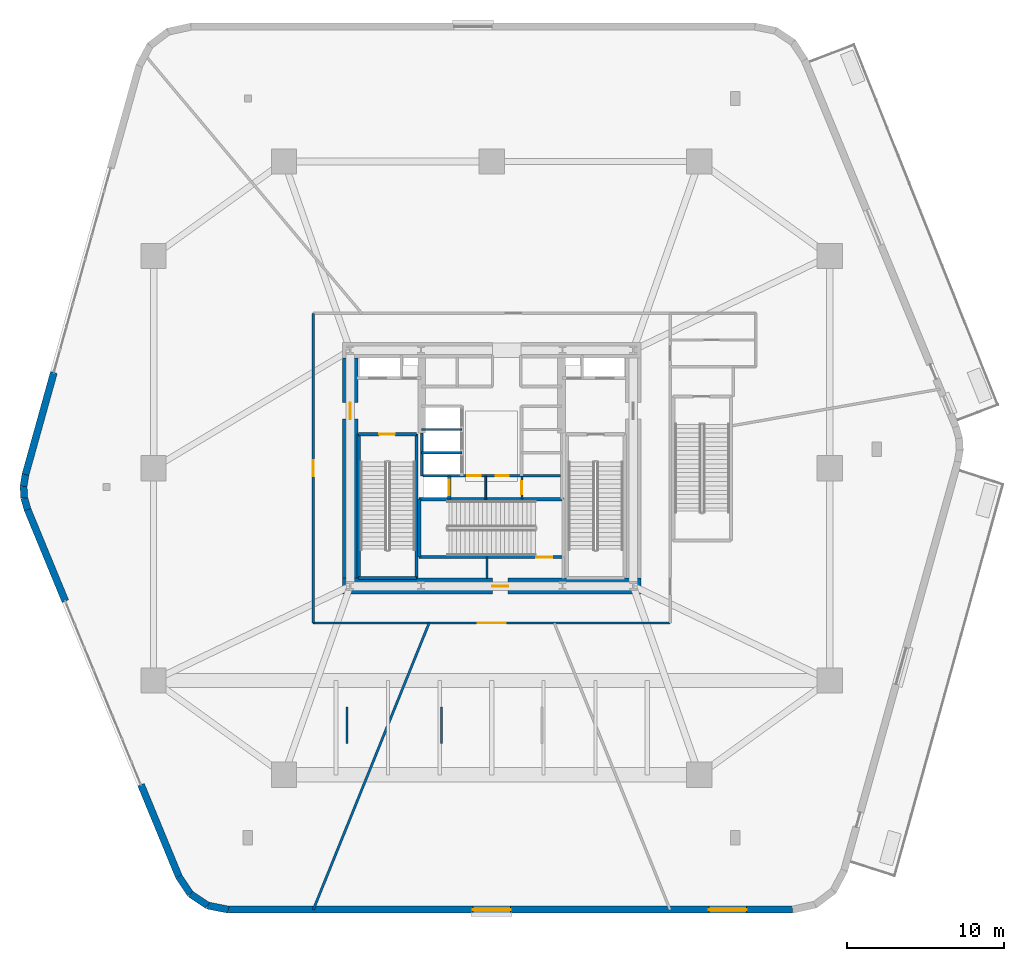
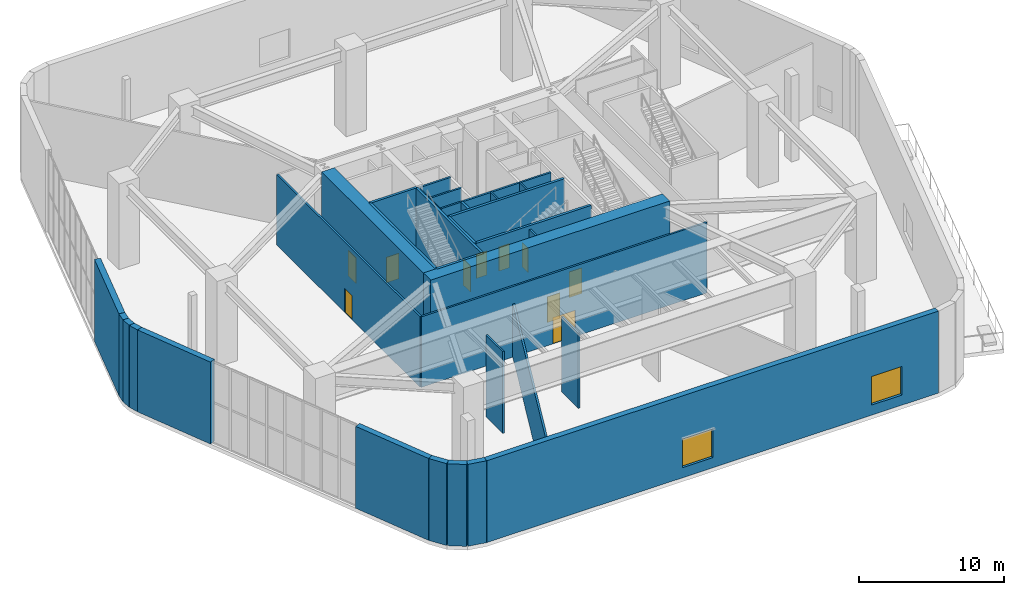
# One storey, part 10 of 17: 32 walls, 10 doors, 2 windows, 12 openings.
"""IFC4 building model written with IfcOpenShell, lengths in metres."""

import ifcopenshell
import ifcopenshell.guid

model = None  # the IFC model being written
_history = None  # IfcOwnerHistory: only IFC2X3 demands one
_inside = {}  # id of a spatial element -> (the spatial element, [elements in it])
_under = {}  # id of a project, library or spatial element -> (it, [spatial elements below it])
_declared = {}  # id of a project -> (the project, [libraries it declares])
_typed = {}  # id of a type object -> (the type object, [elements of that type])
_made_of = {}  # id of a material, layer set ... -> (it, [elements and type objects made of it])


def new_model(schema):
    """Start an empty IFC model of exactly this schema.

    Asked for "IFC4X3", IfcOpenShell would pick the latest addendum, in which some entities
    have other attributes; the version numbers below select the first issue.
    IFC2X3 requires an IfcOwnerHistory on every rooted entity: one is made here for all.
    """
    global model, _history
    if schema == "IFC4X3":
        model = ifcopenshell.file(schema_version=(4, 3, 0, 0))
    else:
        model = ifcopenshell.file(schema=schema)
    _inside.clear()
    _under.clear()
    _declared.clear()
    _typed.clear()
    _made_of.clear()
    _history = None
    if model.schema == "IFC2X3":
        org = make("IfcOrganization", Name="unknown")
        user = make(
            "IfcPersonAndOrganization",
            ThePerson=make("IfcPerson", FamilyName="unknown"),
            TheOrganization=org,
        )
        app = make(
            "IfcApplication",
            ApplicationDeveloper=org,
            Version="unknown",
            ApplicationFullName="unknown",
            ApplicationIdentifier="unknown",
        )
        _history = make(
            "IfcOwnerHistory",
            OwningUser=user,
            OwningApplication=app,
            ChangeAction="ADDED",
            CreationDate=0,
        )
    return model


def make(cls, **values):
    """One entity of the class cls with the attributes given. An attribute that is None is left unset."""
    return model.create_entity(
        cls, **{name: value for name, value in values.items() if value is not None}
    )


def rooted(cls, **values):
    """An entity with a GlobalId (a new one), such as an element, a storey or a relation."""
    return make(cls, GlobalId=ifcopenshell.guid.new(), OwnerHistory=_history, **values)


def si_unit(unit_type, name, prefix=None):
    """IfcSIUnit, for example si_unit("LENGTHUNIT", "METRE", prefix="MILLI")."""
    return make("IfcSIUnit", UnitType=unit_type, Prefix=prefix, Name=name)


def assignment(units):
    """IfcUnitAssignment: the units of a project."""
    return None if units is None else make("IfcUnitAssignment", Units=units)


def point(xyz):
    """IfcCartesianPoint."""
    return None if xyz is None else make("IfcCartesianPoint", Coordinates=xyz)


def direction(xyz):
    """IfcDirection."""
    return None if xyz is None else make("IfcDirection", DirectionRatios=xyz)


def frame(location, z_axis=None, x_axis=None):
    """IfcAxis2Placement3D, a coordinate frame: its origin and axes. An axis left out is left unset."""
    return make(
        "IfcAxis2Placement3D",
        Location=point(location),
        Axis=direction(z_axis),
        RefDirection=direction(x_axis),
    )


def frame_2d(location, x_axis=None):
    """IfcAxis2Placement2D, a coordinate frame in the plane: its origin and x axis."""
    return make(
        "IfcAxis2Placement2D", Location=point(location), RefDirection=direction(x_axis)
    )


def origin():
    """The frame at (0, 0, 0) with its axes left unset."""
    return frame((0.0, 0.0, 0.0))


def place(relative_to, where):
    """IfcLocalPlacement: puts the frame where relative to a parent placement (None: the world)."""
    return make(
        "IfcLocalPlacement", PlacementRelTo=relative_to, RelativePlacement=where
    )


def context(
    kind, dimensions, precision=None, world=None, true_north=None, identifier=None
):
    """IfcGeometricRepresentationContext, for example the 3D "Model" context."""
    return make(
        "IfcGeometricRepresentationContext",
        ContextIdentifier=identifier,
        ContextType=kind,
        CoordinateSpaceDimension=dimensions,
        Precision=precision,
        WorldCoordinateSystem=world,
        TrueNorth=true_north,
    )


def subcontext(parent, identifier, kind, view, scale=None):
    """IfcGeometricRepresentationSubContext, for example "Body" below "Model"."""
    return make(
        "IfcGeometricRepresentationSubContext",
        ContextIdentifier=identifier,
        ContextType=kind,
        ParentContext=parent,
        TargetScale=scale,
        TargetView=view,
    )


def project(units=None, contexts=None):
    """IfcProject with its units and contexts."""
    return rooted(
        "IfcProject",
        Name="project",
        RepresentationContexts=contexts,
        UnitsInContext=assignment(units),
    )


def spatial(cls, under=None, at=None, **own):
    """A site, building, storey or space (cls), placed at a placement, below another one or the project."""
    s = rooted(cls, ObjectPlacement=at, **own)
    if under is not None:
        _under.setdefault(under.id(), (under, []))[1].append(s)
    return s


def profile(cls, at=None, kind="AREA", **sizes):
    """A parametric profile (cls). Its sizes go by their IFC names, for example OverallWidth=200.0."""
    return make(cls, ProfileType=kind, Position=at, **sizes)


def rectangle(**sizes):
    """IfcRectangleProfileDef."""
    return profile("IfcRectangleProfileDef", **sizes)


def extrude(swept, where, along, depth):
    """IfcExtrudedAreaSolid: the profile swept, set in the frame where, extruded along a direction by depth."""
    return make(
        "IfcExtrudedAreaSolid",
        SweptArea=swept,
        Position=where,
        ExtrudedDirection=direction(along),
        Depth=depth,
    )


def shape(context_of_items, identifier, shape_type, items):
    """IfcShapeRepresentation: the items that make up one representation, for example the "Body"."""
    return make(
        "IfcShapeRepresentation",
        ContextOfItems=context_of_items,
        RepresentationIdentifier=identifier,
        RepresentationType=shape_type,
        Items=items,
    )


def material(Name=None, Category=None):
    """IfcMaterial."""
    return make("IfcMaterial", Name=Name, Category=Category)


def layer(
    of_material, thickness, ventilated=None, Name=None, Category=None, Priority=None
):
    """IfcMaterialLayer: one layer of a wall or slab, of a material (None: an air gap)."""
    return make(
        "IfcMaterialLayer",
        Material=of_material,
        LayerThickness=thickness,
        IsVentilated=ventilated,
        Name=Name,
        Category=Category,
        Priority=Priority,
    )


def layer_set(layers, Name=None):
    """IfcMaterialLayerSet."""
    return make("IfcMaterialLayerSet", MaterialLayers=layers, LayerSetName=Name)


def made_of(thing, what):
    """Note that an element or type object is made of a material, layer set ...; save() writes the relation."""
    if what is not None:
        _made_of.setdefault(what.id(), (what, []))[1].append(thing)
    return thing


def type_object(cls, material=None, **own):
    """A type object (cls), such as IfcWallType, which elements share."""
    return made_of(rooted(cls, **own), material)


def element(
    cls,
    number,
    at=None,
    inside=None,
    cuts=None,
    type_object=None,
    material=None,
    context=None,
    identifier="Body",
    shape_type=None,
    held_by="IfcProductDefinitionShape",
    body=None,
    shapes=None,
    **own,
):
    """One element of the class cls, such as IfcWall. Its Tag is "e" and its number.

    at: its placement. inside: the storey or other place that contains it. cuts: it is an
    opening in that element (IfcRelVoidsElement). A single representation is given by context,
    identifier, shape_type and body (its items); several are given by shapes. held_by: the class
    of the entity that holds the representations. save() writes the other relations.
    """
    e = rooted(cls, Tag="e%d" % number, ObjectPlacement=at, **own)
    if body is not None:
        shapes = [shape(context, identifier, shape_type, body)]
    if shapes is not None:
        e.Representation = make(held_by, Representations=shapes)
    if inside is not None:
        _inside.setdefault(inside.id(), (inside, []))[1].append(e)
    if cuts is not None:
        rooted(
            "IfcRelVoidsElement", RelatingBuildingElement=cuts, RelatedOpeningElement=e
        )
    if type_object is not None:
        _typed.setdefault(type_object.id(), (type_object, []))[1].append(e)
    return made_of(e, material)


def fill(opening, filler):
    """IfcRelFillsElement: the door or window that sits in an opening."""
    return rooted(
        "IfcRelFillsElement",
        RelatingOpeningElement=opening,
        RelatedBuildingElement=filler,
    )


def aggregate(whole, parts):
    """IfcRelAggregates: a whole, such as a stair, and the parts it consists of."""
    return rooted("IfcRelAggregates", RelatingObject=whole, RelatedObjects=parts)


def save(model, path):
    """Write the relations noted so far, then the file.

    IfcRelAggregates (storeys below a building ...), IfcRelContainedInSpatialStructure (elements
    in a storey), IfcRelDefinesByType, IfcRelAssociatesMaterial and IfcRelDeclares: one each for
    every whole, place, type object, material and project.
    """
    for whole, parts in _under.values():
        aggregate(whole, parts)
    for where, things in _inside.values():
        rooted(
            "IfcRelContainedInSpatialStructure",
            RelatedElements=things,
            RelatingStructure=where,
        )
    for kind, things in _typed.values():
        rooted("IfcRelDefinesByType", RelatedObjects=things, RelatingType=kind)
    for what, things in _made_of.values():
        rooted("IfcRelAssociatesMaterial", RelatedObjects=things, RelatingMaterial=what)
    for by, libraries in _declared.values():
        rooted("IfcRelDeclares", RelatingContext=by, RelatedDefinitions=libraries)
    model.write(path)


model = new_model("IFC4")

# Units and contexts
model_context = context("Model", 3, precision=1e-05, world=origin(), true_north=direction((0.0, 1.0)))
body_context = subcontext(model_context, "Body", "Model", "MODEL_VIEW")
ifc_project = project(units=[si_unit("LENGTHUNIT", "METRE"), si_unit("AREAUNIT", "SQUARE_METRE"), si_unit("VOLUMEUNIT", "CUBIC_METRE"), si_unit("PLANEANGLEUNIT", "RADIAN"), si_unit("MASSUNIT", "GRAM", prefix="KILO")], contexts=[model_context])

# Site, building, storey
site_placement = place(None, origin())
site = spatial("IfcSite", under=ifc_project, at=site_placement, CompositionType="ELEMENT")
building_placement = place(site_placement, origin())
building = spatial("IfcBuilding", under=site, at=building_placement, Name="Kilnhurst Terrace Hotel", CompositionType="ELEMENT")
storey_placement = place(building_placement, frame((0.0, 0.0, 11.39990234375)))
storey = spatial("IfcBuildingStorey", under=building, at=storey_placement, Name="L02", CompositionType="ELEMENT", Elevation=11.39990234375)

# Walls
ifc_material_1 = material(Name="Precast concrete C40/50", Category="concrete")
ifc_layer_1 = layer(ifc_material_1, 0.449951171875, Name="Precast concrete C40/50")
ifc_layer_set_1 = layer_set([ifc_layer_1], Name="Precast concrete C40/50")
wall_type_1 = type_object("IfcWallType", Name="WL-BRK-450", PredefinedType="SOLIDWALL", material=ifc_layer_set_1)
wall_1_placement = place(storey_placement, frame((-19.895751953125, -25.965576171875, 0.0), z_axis=(0.0, 0.0, 1.0), x_axis=(0.554237463162, -0.832358597257, 0.0)))
element("IfcWall", 1, at=wall_1_placement, inside=storey, type_object=wall_type_1, Name="L02 Rounded Corner Brick Wall C1.1", PredefinedType="SOLIDWALL", context=body_context, shape_type="SweptSolid", body=[
    extrude(rectangle(XDim=1.339599609375, YDim=0.449951171875, at=frame_2d((0.669921875, 0.0))), origin(), (0.0, 0.0, 1.0), 6.880126953125),
])
wall_2_placement = place(storey_placement, frame((-19.1533203125, -27.08056640625, 0.0), z_axis=(0.0, 0.0, 1.0), x_axis=(0.831050979436, -0.556196250956, 0.0)))
element("IfcWall", 2, at=wall_2_placement, inside=storey, type_object=wall_type_1, Name="L02 Rounded Corner Brick Wall C1.2", PredefinedType="SOLIDWALL", context=body_context, shape_type="SweptSolid", body=[
    extrude(rectangle(XDim=1.3173828125, YDim=0.449951171875, at=frame_2d((0.65869140625, 0.0))), origin(), (0.0, 0.0, 1.0), 6.880126953125),
])
wall_3_placement = place(storey_placement, frame((-18.05859375, -27.813232421875, 0.0), z_axis=(0.0, 0.0, 1.0), x_axis=(0.98072760743, -0.195380039986, 0.0)))
element("IfcWall", 3, at=wall_3_placement, inside=storey, type_object=wall_type_1, Name="L02 Rounded Corner Brick Wall C1.3", PredefinedType="SOLIDWALL", context=body_context, shape_type="SweptSolid", body=[
    extrude(rectangle(XDim=1.339599609375, YDim=0.449951171875, at=frame_2d((0.669921875, 0.0))), origin(), (0.0, 0.0, 1.0), 6.880126953125),
])
wall_4_placement = place(storey_placement, frame((-29.648193359375, -0.412353515625, 0.0), z_axis=(0.0, 0.0, 1.0), x_axis=(-0.160207253195, -0.987083398718, 0.0)))
element("IfcWall", 4, at=wall_4_placement, inside=storey, type_object=wall_type_1, Name="L02 Rounded Corner Brick Wall C6.1", PredefinedType="SOLIDWALL", context=body_context, shape_type="SweptSolid", body=[
    extrude(rectangle(XDim=0.755859375, YDim=0.449951171875, at=frame_2d((0.3779296875, 0.0))), origin(), (0.0, 0.0, 1.0), 6.880126953125),
])
wall_5_placement = place(storey_placement, frame((-29.769287109375, -1.158447265625, 0.0), z_axis=(0.0, 0.0, 1.0), x_axis=(0.059781012143, -0.998211515956, 0.0)))
element("IfcWall", 5, at=wall_5_placement, inside=storey, type_object=wall_type_1, Name="L02 Rounded Corner Brick Wall C6.2", PredefinedType="SOLIDWALL", context=body_context, shape_type="SweptSolid", body=[
    extrude(rectangle(XDim=0.7431640625, YDim=0.449951171875, at=frame_2d((0.37158203125, 0.0))), origin(), (0.0, 0.0, 1.0), 6.880126953125),
])
wall_6_placement = place(storey_placement, frame((-29.724853515625, -1.900390625, 0.0), z_axis=(0.0, 0.0, 1.0), x_axis=(0.276810835942, -0.960924430486, 0.0)))
element("IfcWall", 6, at=wall_6_placement, inside=storey, type_object=wall_type_1, Name="L02 Rounded Corner Brick Wall C6.3", PredefinedType="SOLIDWALL", context=body_context, shape_type="SweptSolid", body=[
    extrude(rectangle(XDim=0.755859375, YDim=0.449951171875, at=frame_2d((0.3779296875, 0.0))), origin(), (0.0, 0.0, 1.0), 6.880126953125),
])

# Wall, openings, windows
wall_7_placement = place(storey_placement, frame((-16.744873046875, -28.074951171875, 0.0), z_axis=(0.0, 0.0, 1.0), x_axis=(1.0, 0.0, 0.0)))
wall_7 = element("IfcWall", 7, at=wall_7_placement, inside=storey, type_object=wall_type_1, Name="L02 Exterior Brick Facade Wall F1", PredefinedType="SOLIDWALL", context=body_context, shape_type="SweptSolid", body=[
    extrude(rectangle(XDim=35.880126953125, YDim=0.449951171875, at=frame_2d((17.93994140625, 0.0))), origin(), (0.0, 0.0, 1.0), 6.880126953125),
])
opening_1_placement = place(wall_7_placement, frame((15.544921875, 0.0, 0.85009765625)))
opening_1 = element("IfcOpeningElement", 8, at=opening_1_placement, cuts=wall_7, Name="Opening W-07", PredefinedType="OPENING", context=body_context, shape_type="SweptSolid", body=[
    extrude(rectangle(XDim=2.39990234375, YDim=2.39990234375, at=frame_2d((1.199951171875, 1.199951171875))), frame((0.0, 0.23486328125, 0.0), z_axis=(0.0, -1.0, 0.0), x_axis=(1.0, 0.0, 0.0)), (0.0, 0.0, 1.0), 0.469970703125),
])
opening_2_placement = place(wall_7_placement, frame((30.556884765625, 0.0, 0.85009765625)))
opening_2 = element("IfcOpeningElement", 9, at=opening_2_placement, cuts=wall_7, Name="Opening W-07", PredefinedType="OPENING", context=body_context, shape_type="SweptSolid", body=[
    extrude(rectangle(XDim=2.39990234375, YDim=2.39990234375, at=frame_2d((1.199951171875, 1.199951171875))), frame((0.0, 0.23486328125, 0.0), z_axis=(0.0, -1.0, 0.0), x_axis=(1.0, 0.0, 0.0)), (0.0, 0.0, 1.0), 0.469970703125),
])
ifc_material_2 = material(Name="Thermally Broken Bronze Aluminium Alloy 6063-T6 and Low-E Glass", Category="aluminium")
window_type = type_object("IfcWindowType", Name="WIN-2400X2400", PartitioningType="SINGLE_PANEL", PredefinedType="WINDOW", material=ifc_material_2)
window_1_placement = place(opening_1_placement, origin())
window_1 = element("IfcWindow", 10, at=window_1_placement, inside=storey, type_object=window_type, Name="L02 Deep-Set Masonry Window F1.1", OverallHeight=2.39990234375, OverallWidth=2.39990234375, PartitioningType="SINGLE_PANEL", PredefinedType="WINDOW", context=body_context, shape_type="SweptSolid", body=[
    extrude(rectangle(XDim=2.39990234375, YDim=2.39990234375, at=frame_2d((1.199951171875, 1.199951171875))), frame((0.0, 0.030029296875, 0.0), z_axis=(0.0, -1.0, 0.0), x_axis=(1.0, 0.0, 0.0)), (0.0, 0.0, 1.0), 0.06005859375),
])
fill(opening_1, window_1)
window_2_placement = place(opening_2_placement, origin())
window_2 = element("IfcWindow", 11, at=window_2_placement, inside=storey, type_object=window_type, Name="L02 Deep-Set Masonry Window F1.2", OverallHeight=2.39990234375, OverallWidth=2.39990234375, PartitioningType="SINGLE_PANEL", PredefinedType="WINDOW", context=body_context, shape_type="SweptSolid", body=[
    extrude(rectangle(XDim=2.39990234375, YDim=2.39990234375, at=frame_2d((1.199951171875, 1.199951171875))), frame((0.0, 0.030029296875, 0.0), z_axis=(0.0, -1.0, 0.0), x_axis=(1.0, 0.0, 0.0)), (0.0, 0.0, 1.0), 0.06005859375),
])
fill(opening_2, window_2)

# Walls
wall_8_placement = place(storey_placement, frame((-27.840576171875, 6.086181640625, 0.0), z_axis=(0.0, 0.0, 1.0), x_axis=(-0.267983597776, -0.963423474555, 0.0)))
element("IfcWall", 12, at=wall_8_placement, inside=storey, type_object=wall_type_1, Name="L02 Face 5 End Brick Pier", PredefinedType="SOLIDWALL", context=body_context, shape_type="SweptSolid", body=[
    extrude(rectangle(XDim=6.745361328125, YDim=0.449951171875, at=frame_2d((3.37255859375, 0.0))), origin(), (0.0, 0.0, 1.0), 6.880126953125),
])
wall_9_placement = place(storey_placement, frame((-29.515625, -2.626708984375, 0.0), z_axis=(0.0, 0.0, 1.0), x_axis=(0.381088332841, -0.924538632277, 0.0)))
element("IfcWall", 13, at=wall_9_placement, inside=storey, type_object=wall_type_1, Name="L02 Face 6 Brick Pier 1", PredefinedType="SOLIDWALL", context=body_context, shape_type="SweptSolid", body=[
    extrude(rectangle(XDim=6.31103515625, YDim=0.449951171875, at=frame_2d((3.155517578125, 0.0))), origin(), (0.0, 0.0, 1.0), 6.880126953125),
])
wall_10_placement = place(storey_placement, frame((-22.30078125, -20.131103515625, 0.0), z_axis=(0.0, 0.0, 1.0), x_axis=(0.381101963293, -0.924533013783, 0.0)))
element("IfcWall", 14, at=wall_10_placement, inside=storey, type_object=wall_type_1, Name="L02 Face 6 End Brick Pier", PredefinedType="SOLIDWALL", context=body_context, shape_type="SweptSolid", body=[
    extrude(rectangle(XDim=6.310791015625, YDim=0.449951171875, at=frame_2d((3.1552734375, 0.0))), origin(), (0.0, 0.0, 1.0), 6.880126953125),
])

# Wall, opening, door
ifc_material_3 = material(Name="Acoustic Double-Gypsum Corridor Partition Assembly")
ifc_layer_2 = layer(ifc_material_3, 0.14990234375, Name="Acoustic Double-Gypsum Corridor Partition Assembly")
ifc_layer_set_2 = layer_set([ifc_layer_2], Name="Acoustic Double-Gypsum Corridor Partition Assembly")
wall_type_2 = type_object("IfcWallType", Name="WL-COR-150", PredefinedType="PARTITIONING", material=ifc_layer_set_2)
wall_11_placement = place(storey_placement, frame((-11.35009765625, -9.85009765625, 0.0), z_axis=(0.0, 0.0, 1.0), x_axis=(0.0, 1.0, 0.0)))
wall_11 = element("IfcWall", 15, at=wall_11_placement, inside=storey, type_object=wall_type_2, Name="L02 Interior Wall WL-L02-COR-01", PredefinedType="PARTITIONING", context=body_context, shape_type="SweptSolid", body=[
    extrude(rectangle(XDim=19.7001953125, YDim=0.14990234375, at=frame_2d((9.85009765625, 0.0))), origin(), (0.0, 0.0, 1.0), 5.922119140625),
])
opening_3_placement = place(wall_11_placement, frame((9.35009765625, 0.0, 0.0)))
opening_3 = element("IfcOpeningElement", 16, at=opening_3_placement, cuts=wall_11, Name="Opening D-10A", PredefinedType="OPENING", context=body_context, shape_type="SweptSolid", body=[
    extrude(rectangle(XDim=1.0, YDim=2.030029296875, at=frame_2d((0.5, 1.01513671875))), frame((0.0, 0.0849609375, 0.0), z_axis=(0.0, -1.0, 0.0), x_axis=(1.0, 0.0, 0.0)), (0.0, 0.0, 1.0), 0.169921875),
])
ifc_material_4 = material(Name="Solid-Core American White Oak Interior Door")
door_type_1 = type_object("IfcDoorType", Name="DR-INT-1000", OperationType="NOTDEFINED", PredefinedType="DOOR", material=ifc_material_4)
door_1_placement = place(opening_3_placement, origin())
door_1 = element("IfcDoor", 17, at=door_1_placement, inside=storey, type_object=door_type_1, Name="L02 Catering Equipment and Linen Storage Room Door", OperationType="SINGLE_SWING_RIGHT", OverallHeight=2.030029296875, OverallWidth=1.0, PredefinedType="DOOR", context=body_context, shape_type="SweptSolid", body=[
    extrude(rectangle(XDim=1.0, YDim=2.030029296875, at=frame_2d((0.5, 1.01513671875))), frame((0.0, 0.02490234375, 0.0), z_axis=(0.0, -1.0, 0.0), x_axis=(1.0, 0.0, 0.0)), (0.0, 0.0, 1.0), 0.050048828125),
])
fill(opening_3, door_1)

wall_12_placement = place(storey_placement, frame((11.35009765625, -9.85009765625, 0.0), z_axis=(0.0, 0.0, 1.0), x_axis=(-1.0, 0.0, 0.0)))
wall_12 = element("IfcWall", 18, at=wall_12_placement, inside=storey, type_object=wall_type_2, Name="L02 Interior Wall WL-L02-COR-04", PredefinedType="PARTITIONING", context=body_context, shape_type="SweptSolid", body=[
    extrude(rectangle(XDim=22.7001953125, YDim=0.14990234375, at=frame_2d((11.35009765625, 0.0))), origin(), (0.0, 0.0, 1.0), 5.922119140625),
])
opening_4_placement = place(wall_12_placement, frame((10.449951171875, 0.0, 0.0)))
opening_4 = element("IfcOpeningElement", 19, at=opening_4_placement, cuts=wall_12, Name="Opening D-18A", PredefinedType="OPENING", context=body_context, shape_type="SweptSolid", body=[
    extrude(rectangle(XDim=1.800048828125, YDim=2.199951171875, at=frame_2d((0.89990234375, 1.10009765625))), frame((0.0, 0.0849609375, 0.0), z_axis=(0.0, -1.0, 0.0), x_axis=(1.0, 0.0, 0.0)), (0.0, 0.0, 1.0), 0.169921875),
])
ifc_material_5 = material(Name="Bronze-Framed Acoustic Glazed Double Hospitality Door")
door_type_2 = type_object("IfcDoorType", Name="DR-INT-1800", OperationType="NOTDEFINED", PredefinedType="DOOR", material=ifc_material_5)
door_2_placement = place(opening_4_placement, origin())
door_2 = element("IfcDoor", 20, at=door_2_placement, inside=storey, type_object=door_type_2, Name="L02 Column Free Grand Ballroom Door", OperationType="DOUBLE_SWING_LEFT", OverallHeight=2.199951171875, OverallWidth=1.800048828125, PredefinedType="DOOR", context=body_context, shape_type="SweptSolid", body=[
    extrude(rectangle(XDim=1.800048828125, YDim=2.199951171875, at=frame_2d((0.89990234375, 1.10009765625))), frame((0.0, 0.02490234375, 0.0), z_axis=(0.0, -1.0, 0.0), x_axis=(1.0, 0.0, 0.0)), (0.0, 0.0, 1.0), 0.050048828125),
])
fill(opening_4, door_2)

ifc_material_6 = material(Name="Concrete C80/95", Category="concrete")
ifc_layer_3 = layer(ifc_material_6, 1.0, Name="Concrete C80/95")
ifc_layer_set_3 = layer_set([ifc_layer_3], Name="Concrete C80/95")
wall_type_3 = type_object("IfcWallType", Name="WL-CORE-1000", PredefinedType="SHEAR", material=ifc_layer_set_3)
wall_13_placement = place(storey_placement, frame((-9.5, -7.5, 0.0), z_axis=(0.0, 0.0, 1.0), x_axis=(1.0, 0.0, 0.0)))
wall_13 = element("IfcWall", 21, at=wall_13_placement, inside=storey, type_object=wall_type_3, Name="L02 Core South Shear Wall", PredefinedType="SHEAR", context=body_context, shape_type="SweptSolid", body=[
    extrude(rectangle(XDim=19.0, YDim=1.0, at=frame_2d((9.5, 0.0))), origin(), (0.0, 0.0, 1.0), 7.2001953125),
])
opening_5_placement = place(wall_13_placement, frame((9.550048828125, 0.0, 0.0)))
opening_5 = element("IfcOpeningElement", 22, at=opening_5_placement, cuts=wall_13, Name="Opening D-90B", PredefinedType="OPENING", context=body_context, shape_type="SweptSolid", body=[
    extrude(rectangle(XDim=1.0, YDim=2.14990234375, at=frame_2d((0.5, 1.074951171875))), frame((0.0, 0.510009765625, 0.0), z_axis=(0.0, -1.0, 0.0), x_axis=(1.0, 0.0, 0.0)), (0.0, 0.0, 1.0), 1.02001953125),
])
ifc_material_7 = material(Name="Painted Hollow Metal Steel ASTM A36 Fire Door", Category="steel")
door_type_3 = type_object("IfcDoorType", Name="DR-FD90-1000", OperationType="NOTDEFINED", PredefinedType="DOOR", material=ifc_material_7)
door_3_placement = place(opening_5_placement, origin())
door_3 = element("IfcDoor", 23, at=door_3_placement, inside=storey, type_object=door_type_3, Name="L02 Stair ST-3 Corridor Door", OperationType="SINGLE_SWING_RIGHT", OverallHeight=2.14990234375, OverallWidth=1.0, PredefinedType="DOOR", context=body_context, shape_type="SweptSolid", body=[
    extrude(rectangle(XDim=1.0, YDim=2.14990234375, at=frame_2d((0.5, 1.074951171875))), frame((0.0, 0.02490234375, 0.0), z_axis=(0.0, -1.0, 0.0), x_axis=(1.0, 0.0, 0.0)), (0.0, 0.0, 1.0), 0.050048828125),
])
fill(opening_5, door_3)

wall_14_placement = place(storey_placement, frame((-9.0, -7.0, 0.0), z_axis=(0.0, 0.0, 1.0), x_axis=(0.0, 1.0, 0.0)))
wall_14 = element("IfcWall", 24, at=wall_14_placement, inside=storey, type_object=wall_type_3, Name="L02 Core West Shear Wall", PredefinedType="SHEAR", context=body_context, shape_type="SweptSolid", body=[
    extrude(rectangle(XDim=14.0, YDim=1.0, at=frame_2d((7.0, 0.0))), origin(), (0.0, 0.0, 1.0), 7.2001953125),
])
opening_6_placement = place(wall_14_placement, frame((10.125, 0.0, 0.0)))
opening_6 = element("IfcOpeningElement", 25, at=opening_6_placement, cuts=wall_14, Name="Opening D-90A", PredefinedType="OPENING", context=body_context, shape_type="SweptSolid", body=[
    extrude(rectangle(XDim=1.050048828125, YDim=2.14990234375, at=frame_2d((0.52490234375, 1.074951171875))), frame((0.0, 0.510009765625, 0.0), z_axis=(0.0, -1.0, 0.0), x_axis=(1.0, 0.0, 0.0)), (0.0, 0.0, 1.0), 1.02001953125),
])
door_type_4 = type_object("IfcDoorType", Name="DR-FD90-1050", OperationType="NOTDEFINED", PredefinedType="DOOR", material=ifc_material_7)
door_4_placement = place(opening_6_placement, origin())
door_4 = element("IfcDoor", 26, at=door_4_placement, inside=storey, type_object=door_type_4, Name="L02 West Firefighting Lobby Door", OperationType="SINGLE_SWING_RIGHT", OverallHeight=2.14990234375, OverallWidth=1.050048828125, PredefinedType="DOOR", context=body_context, shape_type="SweptSolid", body=[
    extrude(rectangle(XDim=1.050048828125, YDim=2.14990234375, at=frame_2d((0.52490234375, 1.074951171875))), frame((0.0, 0.02490234375, 0.0), z_axis=(0.0, -1.0, 0.0), x_axis=(1.0, 0.0, 0.0)), (0.0, 0.0, 1.0), 0.050048828125),
])
fill(opening_6, door_4)

# Walls
ifc_material_8 = material(Name="STC-54 Top-Hung Acoustic Operable Ballroom Folding Wall")
ifc_layer_4 = layer(ifc_material_8, 0.139892578125, Name="STC-54 Top-Hung Acoustic Operable Ballroom Folding Wall")
ifc_layer_set_4 = layer_set([ifc_layer_4], Name="STC-54 Top-Hung Acoustic Operable Ballroom Folding Wall")
wall_type_4 = type_object("IfcWallType", Name="WL-MOV-140", PredefinedType="MOVABLE", material=ifc_layer_set_4)
wall_15_placement = place(storey_placement, frame((-9.199951171875, -17.5, 0.0), z_axis=(0.0, 0.0, 1.0), x_axis=(0.0, 1.0, 0.0)))
element("IfcWall", 27, at=wall_15_placement, inside=storey, type_object=wall_type_4, Name="L02 Operable Acoustic Ballroom Partition 1", PredefinedType="MOVABLE", context=body_context, shape_type="SweptSolid", body=[
    extrude(rectangle(XDim=2.300048828125, YDim=0.139892578125, at=frame_2d((1.14990234375, 0.0))), origin(), (0.0, 0.0, 1.0), 6.880126953125),
])
wall_16_placement = place(storey_placement, frame((-3.199951171875, -17.5, 0.0), z_axis=(0.0, 0.0, 1.0), x_axis=(0.0, 1.0, 0.0)))
element("IfcWall", 28, at=wall_16_placement, inside=storey, type_object=wall_type_4, Name="L02 Operable Acoustic Ballroom Partition 2", PredefinedType="MOVABLE", context=body_context, shape_type="SweptSolid", body=[
    extrude(rectangle(XDim=2.300048828125, YDim=0.139892578125, at=frame_2d((1.14990234375, 0.0))), origin(), (0.0, 0.0, 1.0), 6.320556640625),
])
ifc_material_9 = material(Name="120 mm Moisture-Resistant Tile-Backed Bathroom Partition")
ifc_layer_5 = layer(ifc_material_9, 0.1201171875, Name="120 mm Moisture-Resistant Tile-Backed Bathroom Partition")
ifc_layer_set_5 = layer_set([ifc_layer_5], Name="120 mm Moisture-Resistant Tile-Backed Bathroom Partition")
wall_type_5 = type_object("IfcWallType", Name="WL-PART-120", PredefinedType="PARTITIONING", material=ifc_layer_set_5)
wall_17_placement = place(storey_placement, frame((-0.3798828125, -1.971923828125, 0.0), z_axis=(0.0, 0.0, 1.0), x_axis=(0.0, 1.0, 0.0)))
element("IfcWall", 29, at=wall_17_placement, inside=storey, type_object=wall_type_5, Name="L02 Interior Wall WL-L02-BOH-C1", PredefinedType="PARTITIONING", context=body_context, shape_type="SweptSolid", body=[
    extrude(rectangle(XDim=1.471923828125, YDim=0.1201171875, at=frame_2d((0.73583984375, 0.0))), origin(), (0.0, 0.0, 1.0), 6.880126953125),
])

# Wall, opening, door
wall_18_placement = place(storey_placement, frame((1.919921875, -1.971923828125, 0.0), z_axis=(0.0, 0.0, 1.0), x_axis=(0.0, 1.0, 0.0)))
wall_18 = element("IfcWall", 30, at=wall_18_placement, inside=storey, type_object=wall_type_5, Name="L02 Interior Wall WL-L02-BOH-C2", PredefinedType="PARTITIONING", context=body_context, shape_type="SweptSolid", body=[
    extrude(rectangle(XDim=1.471923828125, YDim=0.1201171875, at=frame_2d((0.73583984375, 0.0))), origin(), (0.0, 0.0, 1.0), 6.880126953125),
])
opening_7_placement = place(wall_18_placement, frame((0.300048828125, 0.0, 0.0)))
opening_7 = element("IfcOpeningElement", 31, at=opening_7_placement, cuts=wall_18, Name="Opening D-08A", PredefinedType="OPENING", context=body_context, shape_type="SweptSolid", body=[
    extrude(rectangle(XDim=0.85009765625, YDim=2.030029296875, at=frame_2d((0.425048828125, 1.01513671875))), frame((0.0, 0.070068359375, 0.0), z_axis=(0.0, -1.0, 0.0), x_axis=(1.0, 0.0, 0.0)), (0.0, 0.0, 1.0), 0.14013671875),
])
ifc_material_10 = material(Name="Moisture-Resistant Lacquered En-suite Bathroom Door")
door_type_5 = type_object("IfcDoorType", Name="DR-INT-850", OperationType="NOTDEFINED", PredefinedType="DOOR", material=ifc_material_10)
door_5_placement = place(opening_7_placement, origin())
door_5 = element("IfcDoor", 32, at=door_5_placement, inside=storey, type_object=door_type_5, Name="L02 Staff Restroom Door", OperationType="SINGLE_SWING_RIGHT", OverallHeight=2.030029296875, OverallWidth=0.85009765625, PredefinedType="DOOR", context=body_context, shape_type="SweptSolid", body=[
    extrude(rectangle(XDim=0.85009765625, YDim=2.030029296875, at=frame_2d((0.425048828125, 1.01513671875))), frame((0.0, 0.02490234375, 0.0), z_axis=(0.0, -1.0, 0.0), x_axis=(1.0, 0.0, 0.0)), (0.0, 0.0, 1.0), 0.050048828125),
])
fill(opening_7, door_5)

# Walls
ifc_material_11 = material(Name="150 mm Acoustic Gypsum Hospitality Partition")
ifc_layer_6 = layer(ifc_material_11, 0.14990234375, Name="150 mm Acoustic Gypsum Hospitality Partition")
ifc_layer_set_6 = layer_set([ifc_layer_6], Name="150 mm Acoustic Gypsum Hospitality Partition")
wall_type_6 = type_object("IfcWallType", Name="WL-PART-150", PredefinedType="PARTITIONING", material=ifc_layer_set_6)
wall_19_placement = place(storey_placement, frame((-3.979736328125, -9.85009765625, 0.0), z_axis=(0.0, 0.0, 1.0), x_axis=(-0.374604951922, -0.927184517772, 0.0)))
element("IfcWall", 33, at=wall_19_placement, inside=storey, type_object=wall_type_6, Name="L02 Interior Wall WL-L02-PDIV-1-1", PredefinedType="PARTITIONING", context=body_context, shape_type="SweptSolid", body=[
    extrude(rectangle(XDim=19.656005859375, YDim=0.14990234375, at=frame_2d((9.828125, 0.0))), origin(), (0.0, 0.0, 1.0), 4.47021484375),
])
ifc_material_12 = material(Name="Fire-Rated Gypsum Shaftliner Assembly")
ifc_layer_7 = layer(ifc_material_12, 0.14990234375, Name="Fire-Rated Gypsum Shaftliner Assembly")
ifc_layer_set_7 = layer_set([ifc_layer_7], Name="Fire-Rated Gypsum Shaftliner Assembly")
wall_type_7 = type_object("IfcWallType", Name="WL-SHAFT-150", PredefinedType="PARTITIONING", material=ifc_layer_set_7)
wall_20_placement = place(storey_placement, frame((-0.300048828125, -7.02001953125, 0.0), z_axis=(0.0, 0.0, 1.0), x_axis=(0.0, 1.0, 0.0)))
element("IfcWall", 34, at=wall_20_placement, inside=storey, type_object=wall_type_7, Name="L02 Interior Wall WL-L02-ST3-PSGW", PredefinedType="PARTITIONING", context=body_context, shape_type="SweptSolid", body=[
    extrude(rectangle(XDim=1.362060546875, YDim=0.14990234375, at=frame_2d((0.68115234375, 0.0))), origin(), (0.0, 0.0, 1.0), 6.880126953125),
])
wall_21_placement = place(storey_placement, frame((-4.449951171875, -0.5, 0.0), z_axis=(0.0, 0.0, 1.0), x_axis=(0.0, 1.0, 0.0)))
element("IfcWall", 35, at=wall_21_placement, inside=storey, type_object=wall_type_7, Name="L02 Interior Wall WL-L02-XLOB-W", PredefinedType="PARTITIONING", context=body_context, shape_type="SweptSolid", body=[
    extrude(rectangle(XDim=2.75, YDim=0.14990234375, at=frame_2d((1.375, 0.0))), origin(), (0.0, 0.0, 1.0), 6.880126953125),
])
for number, where, z_axis, x_axis, name in (
    (36, (-4.449951171875, 0.97998046875, 0.0), (0.0, 0.0, 1.0), (1.0, 0.0, 0.0), "L02 Interior Wall WL-L02-LR-D1"),
    (37, (-4.449951171875, 2.4599609375, 0.0), (0.0, 0.0, 1.0), (1.0, 0.0, 0.0), "L02 Interior Wall WL-L02-LR-D2"),
):
    element("IfcWall", number, at=place(storey_placement, frame(where, z_axis=z_axis, x_axis=x_axis)), inside=storey, type_object=wall_type_7, Name=name, PredefinedType="PARTITIONING", context=body_context, shape_type="SweptSolid", body=[
        extrude(rectangle(XDim=2.550048828125, YDim=0.14990234375, at=frame_2d((1.27490234375, 0.0))), origin(), (0.0, 0.0, 1.0), 6.880126953125),
    ])

# Wall, openings, doors
wall_22_placement = place(storey_placement, frame((-4.360107421875, -0.489990234375, 0.0), z_axis=(0.0, 0.0, 1.0), x_axis=(1.0, 0.0, 0.0)))
wall_22 = element("IfcWall", 38, at=wall_22_placement, inside=storey, type_object=wall_type_7, Name="L02 Interior Wall WL-L02-BOH-N", PredefinedType="PARTITIONING", context=body_context, shape_type="SweptSolid", body=[
    extrude(rectangle(XDim=8.72021484375, YDim=0.14990234375, at=frame_2d((4.360107421875, 0.0))), origin(), (0.0, 0.0, 1.0), 6.880126953125),
])
opening_8_placement = place(wall_22_placement, frame((2.81005859375, 0.0, 0.0)))
opening_8 = element("IfcOpeningElement", 39, at=opening_8_placement, cuts=wall_22, Name="Opening D-60D", PredefinedType="OPENING", context=body_context, shape_type="SweptSolid", body=[
    extrude(rectangle(XDim=0.85009765625, YDim=2.030029296875, at=frame_2d((0.425048828125, 1.01513671875))), frame((0.0, 0.0849609375, 0.0), z_axis=(0.0, -1.0, 0.0), x_axis=(1.0, 0.0, 0.0)), (0.0, 0.0, 1.0), 0.169921875),
])
opening_9_placement = place(wall_22_placement, frame((4.610107421875, 0.0, 0.0)))
opening_9 = element("IfcOpeningElement", 40, at=opening_9_placement, cuts=wall_22, Name="Opening D-60D", PredefinedType="OPENING", context=body_context, shape_type="SweptSolid", body=[
    extrude(rectangle(XDim=0.85009765625, YDim=2.030029296875, at=frame_2d((0.425048828125, 1.01513671875))), frame((0.0, 0.0849609375, 0.0), z_axis=(0.0, -1.0, 0.0), x_axis=(1.0, 0.0, 0.0)), (0.0, 0.0, 1.0), 0.169921875),
])
ifc_material_13 = material(Name="Painted Hollow Metal Steel ASTM A36 Riser Door", Category="steel")
door_type_6 = type_object("IfcDoorType", Name="DR-FD60-850", OperationType="NOTDEFINED", PredefinedType="DOOR", material=ifc_material_13)
door_6_placement = place(opening_8_placement, origin())
door_6 = element("IfcDoor", 41, at=door_6_placement, inside=storey, type_object=door_type_6, Name="L02 Housekeeping Station Door", OperationType="SINGLE_SWING_LEFT", OverallHeight=2.030029296875, OverallWidth=0.85009765625, PredefinedType="DOOR", context=body_context, shape_type="SweptSolid", body=[
    extrude(rectangle(XDim=0.85009765625, YDim=2.030029296875, at=frame_2d((0.425048828125, 1.01513671875))), frame((0.0, 0.02490234375, 0.0), z_axis=(0.0, -1.0, 0.0), x_axis=(1.0, 0.0, 0.0)), (0.0, 0.0, 1.0), 0.050048828125),
])
fill(opening_8, door_6)
door_7_placement = place(opening_9_placement, origin())
door_7 = element("IfcDoor", 42, at=door_7_placement, inside=storey, type_object=door_type_6, Name="L02 Beverage Pantry Door", OperationType="SINGLE_SWING_RIGHT", OverallHeight=2.030029296875, OverallWidth=0.85009765625, PredefinedType="DOOR", context=body_context, shape_type="SweptSolid", body=[
    extrude(rectangle(XDim=0.85009765625, YDim=2.030029296875, at=frame_2d((0.425048828125, 1.01513671875))), frame((0.0, 0.02490234375, 0.0), z_axis=(0.0, -1.0, 0.0), x_axis=(1.0, 0.0, 0.0)), (0.0, 0.0, 1.0), 0.050048828125),
])
fill(opening_9, door_7)

# Wall, opening, door
ifc_material_14 = material(Name="Autoclaved Aerated Concrete C30/37 and Gypsum Shaft Assembly", Category="concrete")
ifc_layer_8 = layer(ifc_material_14, 0.199951171875, Name="Autoclaved Aerated Concrete C30/37 and Gypsum Shaft Assembly")
ifc_layer_set_8 = layer_set([ifc_layer_8], Name="Autoclaved Aerated Concrete C30/37 and Gypsum Shaft Assembly")
wall_type_8 = type_object("IfcWallType", Name="WL-SHAFT-200", PredefinedType="PARTITIONING", material=ifc_layer_set_8)
wall_23_placement = place(storey_placement, frame((-2.699951171875, -1.971923828125, 0.0), z_axis=(0.0, 0.0, 1.0), x_axis=(0.0, 1.0, 0.0)))
wall_23 = element("IfcWall", 43, at=wall_23_placement, inside=storey, type_object=wall_type_8, Name="L02 Interior Wall WL-L02-SRV1-E", PredefinedType="PARTITIONING", context=body_context, shape_type="SweptSolid", body=[
    extrude(rectangle(XDim=1.471923828125, YDim=0.199951171875, at=frame_2d((0.73583984375, 0.0))), origin(), (0.0, 0.0, 1.0), 6.880126953125),
])
opening_10_placement = place(wall_23_placement, frame((0.239990234375, 0.0, 0.0)))
opening_10 = element("IfcOpeningElement", 44, at=opening_10_placement, cuts=wall_23, Name="Opening LD-SV", PredefinedType="OPENING", context=body_context, shape_type="SweptSolid", body=[
    extrude(rectangle(XDim=1.0, YDim=2.199951171875, at=frame_2d((0.5, 1.10009765625))), frame((0.0, 0.10986328125, 0.0), z_axis=(0.0, -1.0, 0.0), x_axis=(1.0, 0.0, 0.0)), (0.0, 0.0, 1.0), 0.219970703125),
])
ifc_material_15 = material(Name="Bronze-Anodized Stainless Steel AISI 316L Sliding Door", Category="steel")
door_type_7 = type_object("IfcDoorType", Name="DR-LIFT-1000", OperationType="NOTDEFINED", PredefinedType="DOOR", material=ifc_material_15)
door_8_placement = place(opening_10_placement, origin())
door_8 = element("IfcDoor", 45, at=door_8_placement, inside=storey, type_object=door_type_7, Name="L02 Service Lift SRV-1 Landing Door", OperationType="SLIDING_TO_LEFT", OverallHeight=2.199951171875, OverallWidth=1.0, PredefinedType="DOOR", context=body_context, shape_type="SweptSolid", body=[
    extrude(rectangle(XDim=1.0, YDim=2.199951171875, at=frame_2d((0.5, 1.10009765625))), frame((0.0, 0.02490234375, 0.0), z_axis=(0.0, -1.0, 0.0), x_axis=(1.0, 0.0, 0.0)), (0.0, 0.0, 1.0), 0.050048828125),
])
fill(opening_10, door_8)

# Walls
ifc_material_16 = material(Name="Concrete C50/60", Category="concrete")
ifc_layer_9 = layer(ifc_material_16, 0.199951171875, Name="Concrete C50/60")
ifc_layer_set_9 = layer_set([ifc_layer_9], Name="Concrete C50/60")
wall_type_9 = type_object("IfcWallType", Name="WL-STAIR-RC-200", PredefinedType="SHEAR", material=ifc_layer_set_9)
for number, where, z_axis, x_axis, name in (
    (46, (-8.4580078125, -6.985107421875, 0.0), (0.0, 0.0, 1.0), (0.0, 1.0, 0.0), "L02 Structural Stair Shaft Wall WL-L02-ST1-W"),
    (47, (-4.77197265625, -6.985107421875, 0.0), (0.0, 0.0, 1.0), (0.0, 1.0, 0.0), "L02 Structural Stair Shaft Wall WL-L02-ST1-E"),
):
    element("IfcWall", number, at=place(storey_placement, frame(where, z_axis=z_axis, x_axis=x_axis)), inside=storey, type_object=wall_type_9, Name=name, PredefinedType="SHEAR", context=body_context, shape_type="SweptSolid", body=[
        extrude(rectangle(XDim=9.14306640625, YDim=0.199951171875, at=frame_2d((4.571533203125, 0.0))), origin(), (0.0, 0.0, 1.0), 7.2001953125),
    ])
wall_24_placement = place(storey_placement, frame((-8.4580078125, -6.985107421875, 0.0), z_axis=(0.0, 0.0, 1.0), x_axis=(1.0, 0.0, 0.0)))
element("IfcWall", 48, at=wall_24_placement, inside=storey, type_object=wall_type_9, Name="L02 Structural Stair Shaft Wall WL-L02-ST1-S", PredefinedType="SHEAR", context=body_context, shape_type="SweptSolid", body=[
    extrude(rectangle(XDim=3.68603515625, YDim=0.199951171875, at=frame_2d((1.843017578125, 0.0))), origin(), (0.0, 0.0, 1.0), 7.2001953125),
])

# Wall, opening, door
wall_25_placement = place(storey_placement, frame((-8.4580078125, 2.157958984375, 0.0), z_axis=(0.0, 0.0, 1.0), x_axis=(1.0, 0.0, 0.0)))
wall_25 = element("IfcWall", 49, at=wall_25_placement, inside=storey, type_object=wall_type_9, Name="L02 Structural Stair Shaft Wall WL-L02-ST1-N", PredefinedType="SHEAR", context=body_context, shape_type="SweptSolid", body=[
    extrude(rectangle(XDim=3.68603515625, YDim=0.199951171875, at=frame_2d((1.843017578125, 0.0))), origin(), (0.0, 0.0, 1.0), 7.2001953125),
])
opening_11_placement = place(wall_25_placement, frame((1.300048828125, 0.0, 0.0)))
opening_11 = element("IfcOpeningElement", 50, at=opening_11_placement, cuts=wall_25, Name="Opening D-90B", PredefinedType="OPENING", context=body_context, shape_type="SweptSolid", body=[
    extrude(rectangle(XDim=1.0, YDim=2.14990234375, at=frame_2d((0.5, 1.074951171875))), frame((0.0, 0.10986328125, 0.0), z_axis=(0.0, -1.0, 0.0), x_axis=(1.0, 0.0, 0.0)), (0.0, 0.0, 1.0), 0.219970703125),
])
door_9_placement = place(opening_11_placement, origin())
door_9 = element("IfcDoor", 51, at=door_9_placement, inside=storey, type_object=door_type_3, Name="L02 Stair ST-1 Door", OperationType="SINGLE_SWING_LEFT", OverallHeight=2.14990234375, OverallWidth=1.0, PredefinedType="DOOR", context=body_context, shape_type="SweptSolid", body=[
    extrude(rectangle(XDim=1.0, YDim=2.14990234375, at=frame_2d((0.5, 1.074951171875))), frame((0.0, 0.02490234375, 0.0), z_axis=(0.0, -1.0, 0.0), x_axis=(1.0, 0.0, 0.0)), (0.0, 0.0, 1.0), 0.050048828125),
])
fill(opening_11, door_9)

# Wall
wall_26_placement = place(storey_placement, frame((-4.60791015625, -5.657958984375, 0.0), z_axis=(0.0, 0.0, 1.0), x_axis=(0.0, 1.0, 0.0)))
element("IfcWall", 52, at=wall_26_placement, inside=storey, type_object=wall_type_9, Name="L02 Structural Stair Shaft Wall WL-L02-ST3-W", PredefinedType="SHEAR", context=body_context, shape_type="SweptSolid", body=[
    extrude(rectangle(XDim=3.68603515625, YDim=0.199951171875, at=frame_2d((1.843017578125, 0.0))), origin(), (0.0, 0.0, 1.0), 7.2001953125),
])

# Wall, opening, door
wall_27_placement = place(storey_placement, frame((-4.60791015625, -5.657958984375, 0.0), z_axis=(0.0, 0.0, 1.0), x_axis=(1.0, 0.0, 0.0)))
wall_27 = element("IfcWall", 53, at=wall_27_placement, inside=storey, type_object=wall_type_9, Name="L02 Structural Stair Shaft Wall WL-L02-ST3-S", PredefinedType="SHEAR", context=body_context, shape_type="SweptSolid", body=[
    extrude(rectangle(XDim=9.166015625, YDim=0.199951171875, at=frame_2d((4.5830078125, 0.0))), origin(), (0.0, 0.0, 1.0), 7.2001953125),
])
opening_12_placement = place(wall_27_placement, frame((7.449951171875, 0.0, 0.0)))
opening_12 = element("IfcOpeningElement", 54, at=opening_12_placement, cuts=wall_27, Name="Opening D-90B", PredefinedType="OPENING", context=body_context, shape_type="SweptSolid", body=[
    extrude(rectangle(XDim=1.0, YDim=2.14990234375, at=frame_2d((0.5, 1.074951171875))), frame((0.0, 0.10986328125, 0.0), z_axis=(0.0, -1.0, 0.0), x_axis=(1.0, 0.0, 0.0)), (0.0, 0.0, 1.0), 0.219970703125),
])
door_10_placement = place(opening_12_placement, origin())
door_10 = element("IfcDoor", 55, at=door_10_placement, inside=storey, type_object=door_type_3, Name="L02 Stair ST-3 Shaft Door", OperationType="SINGLE_SWING_LEFT", OverallHeight=2.14990234375, OverallWidth=1.0, PredefinedType="DOOR", context=body_context, shape_type="SweptSolid", body=[
    extrude(rectangle(XDim=1.0, YDim=2.14990234375, at=frame_2d((0.5, 1.074951171875))), frame((0.0, 0.02490234375, 0.0), z_axis=(0.0, -1.0, 0.0), x_axis=(1.0, 0.0, 0.0)), (0.0, 0.0, 1.0), 0.050048828125),
])
fill(opening_12, door_10)

# Wall
wall_28_placement = place(storey_placement, frame((-4.60791015625, -1.971923828125, 0.0), z_axis=(0.0, 0.0, 1.0), x_axis=(1.0, 0.0, 0.0)))
element("IfcWall", 56, at=wall_28_placement, inside=storey, type_object=wall_type_9, Name="L02 Structural Stair Shaft Wall WL-L02-ST3-N", PredefinedType="SHEAR", context=body_context, shape_type="SweptSolid", body=[
    extrude(rectangle(XDim=9.166015625, YDim=0.199951171875, at=frame_2d((4.5830078125, 0.0))), origin(), (0.0, 0.0, 1.0), 7.2001953125),
])

save(model, "model.ifc")
